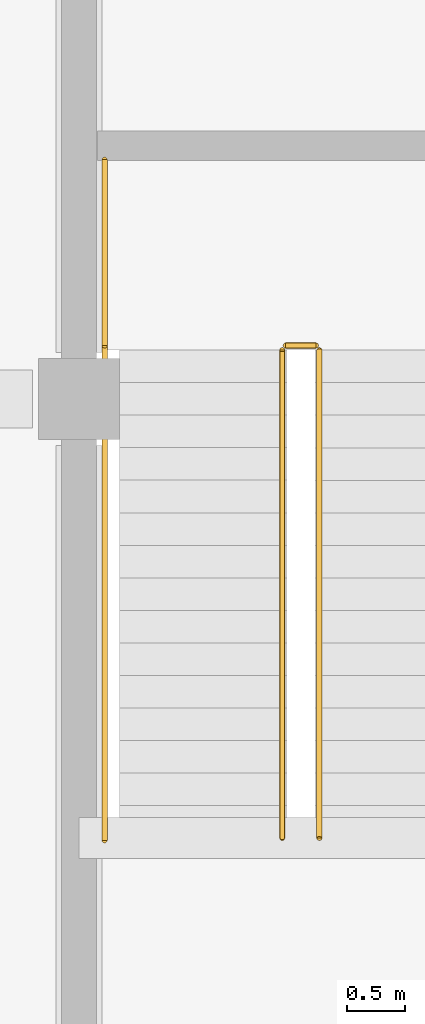
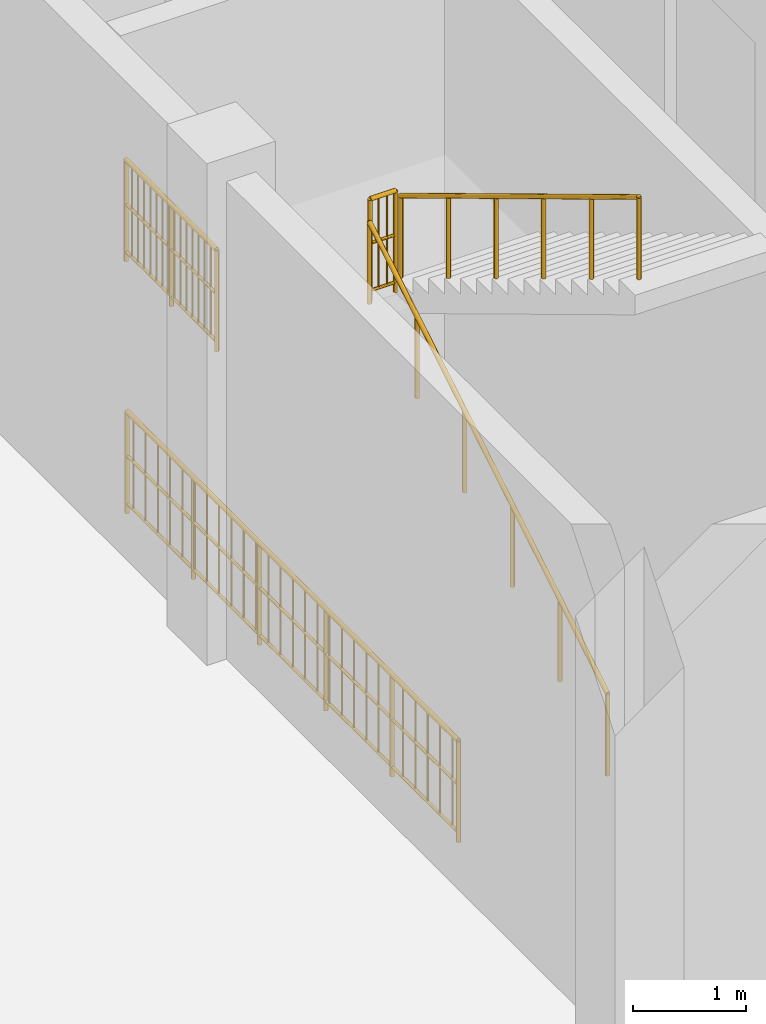
# One storey, part 65 of 70: 5 railings.
"""IFC4 building model written with IfcOpenShell, lengths in metres."""

from ifc_helpers import new_model, si_unit, direction, frame, origin, origin_2d, place, context, subcontext, project, spatial, circle, extrude, material, type_object, element, save


model = new_model("IFC4")

# Units and contexts
model_context = context("Model", 3, precision=1e-05, world=origin(), true_north=direction((0.0, 1.0)))
body_context = subcontext(model_context, "Body", "Model", "MODEL_VIEW")
ifc_project = project(units=[si_unit("LENGTHUNIT", "METRE"), si_unit("AREAUNIT", "SQUARE_METRE"), si_unit("VOLUMEUNIT", "CUBIC_METRE"), si_unit("PLANEANGLEUNIT", "RADIAN"), si_unit("MASSUNIT", "GRAM", prefix="KILO")], contexts=[model_context])

# Site, building, storey
site_placement = place(None, origin())
site = spatial("IfcSite", under=ifc_project, at=site_placement, CompositionType="ELEMENT")
building_placement = place(site_placement, origin())
building = spatial("IfcBuilding", under=site, at=building_placement, Name="Vesperath Aquatics Centre", CompositionType="ELEMENT")
storey_placement = place(building_placement, origin())
storey = spatial("IfcBuildingStorey", under=building, at=storey_placement, Name="L00", CompositionType="ELEMENT", Elevation=0.0)

# Railings
ifc_material_1 = material(Name="Powder-coated galvanized steel safety guard", Category="steel")
railing_type_1 = type_object("IfcRailingType", Name="RL-GRD01", PredefinedType="GUARDRAIL", material=ifc_material_1)
railing_1_placement = place(storey_placement, frame((95.3798828125, 65.260009765625, 2.699951171875)))
element("IfcRailing", 1, at=railing_1_placement, inside=storey, type_object=railing_type_1, Name="Stair ST8 Half-Landing Slot Guard GR02 L00", PredefinedType="GUARDRAIL", context=body_context, shape_type="SweptSolid", body=[
    extrude(circle(Radius=0.02392578125, at=origin_2d()), frame((0.0, 0.0, 1.0859375), z_axis=(1.0, 0.0, 0.0), x_axis=(0.0, 1.0, 0.0)), (0.0, 0.0, 1.0), 0.260009765625),
    extrude(circle(Radius=0.01611328125, at=origin_2d()), frame((0.0, 0.0, 0.10009765625), z_axis=(1.0, 0.0, 0.0), x_axis=(0.0, 1.0, 0.0)), (0.0, 0.0, 1.0), 0.260009765625),
    extrude(circle(Radius=0.01611328125, at=origin_2d()), frame((0.0, 0.0, 0.610595703125), z_axis=(1.0, 0.0, 0.0), x_axis=(0.0, 1.0, 0.0)), (0.0, 0.0, 1.0), 0.260009765625),
    extrude(circle(Radius=0.009033203125, at=origin_2d()), frame((0.086669921875, 0.0, 0.10009765625)), (0.0, 0.0, 1.0), 0.9619140625),
    extrude(circle(Radius=0.009033203125, at=origin_2d()), frame((0.17333984375, 0.0, 0.10009765625)), (0.0, 0.0, 1.0), 0.9619140625),
    extrude(circle(Radius=0.02197265625, at=origin_2d()), origin(), (0.0, 0.0, 1.0), 1.0859375),
    extrude(circle(Radius=0.02197265625, at=origin_2d()), frame((0.260009765625, 0.0, 0.0)), (0.0, 0.0, 1.0), 1.0859375),
])
railing_2_placement = place(storey_placement, frame((93.820068359375, 65.260009765625, 2.699951171875)))
element("IfcRailing", 2, at=railing_2_placement, inside=storey, type_object=railing_type_1, Name="Stair ST8 Half-Landing Wall Guard GR02 L00", PredefinedType="GUARDRAIL", context=body_context, shape_type="SweptSolid", body=[
    extrude(circle(Radius=0.02392578125, at=origin_2d()), frame((0.0, 0.0, 1.0859375), z_axis=(0.0, 1.0, 0.0), x_axis=(-1.0, 0.0, 0.0)), (0.0, 0.0, 1.0), 1.60009765625),
    extrude(circle(Radius=0.01611328125, at=origin_2d()), frame((0.0, 0.0, 0.10009765625), z_axis=(0.0, 1.0, 0.0), x_axis=(-1.0, 0.0, 0.0)), (0.0, 0.0, 1.0), 1.60009765625),
    extrude(circle(Radius=0.01611328125, at=origin_2d()), frame((0.0, 0.0, 0.610595703125), z_axis=(0.0, 1.0, 0.0), x_axis=(-1.0, 0.0, 0.0)), (0.0, 0.0, 1.0), 1.60009765625),
    extrude(circle(Radius=0.009033203125, at=origin_2d()), frame((0.0, 0.106689453125, 0.10009765625)), (0.0, 0.0, 1.0), 0.9619140625),
    extrude(circle(Radius=0.009033203125, at=origin_2d()), frame((0.0, 0.21337890625, 0.10009765625)), (0.0, 0.0, 1.0), 0.9619140625),
    extrude(circle(Radius=0.009033203125, at=origin_2d()), frame((0.0, 0.320068359375, 0.10009765625)), (0.0, 0.0, 1.0), 0.9619140625),
    extrude(circle(Radius=0.009033203125, at=origin_2d()), frame((0.0, 0.4267578125, 0.10009765625)), (0.0, 0.0, 1.0), 0.9619140625),
    extrude(circle(Radius=0.009033203125, at=origin_2d()), frame((0.0, 0.533447265625, 0.10009765625)), (0.0, 0.0, 1.0), 0.9619140625),
    extrude(circle(Radius=0.009033203125, at=origin_2d()), frame((0.0, 0.64013671875, 0.10009765625)), (0.0, 0.0, 1.0), 0.9619140625),
    extrude(circle(Radius=0.009033203125, at=origin_2d()), frame((0.0, 0.746826171875, 0.10009765625)), (0.0, 0.0, 1.0), 0.9619140625),
    extrude(circle(Radius=0.009033203125, at=origin_2d()), frame((0.0, 0.853271484375, 0.10009765625)), (0.0, 0.0, 1.0), 0.9619140625),
    extrude(circle(Radius=0.009033203125, at=origin_2d()), frame((0.0, 0.9599609375, 0.10009765625)), (0.0, 0.0, 1.0), 0.9619140625),
    extrude(circle(Radius=0.009033203125, at=origin_2d()), frame((0.0, 1.066650390625, 0.10009765625)), (0.0, 0.0, 1.0), 0.9619140625),
    extrude(circle(Radius=0.009033203125, at=origin_2d()), frame((0.0, 1.17333984375, 0.10009765625)), (0.0, 0.0, 1.0), 0.9619140625),
    extrude(circle(Radius=0.009033203125, at=origin_2d()), frame((0.0, 1.280029296875, 0.10009765625)), (0.0, 0.0, 1.0), 0.9619140625),
    extrude(circle(Radius=0.009033203125, at=origin_2d()), frame((0.0, 1.38671875, 0.10009765625)), (0.0, 0.0, 1.0), 0.9619140625),
    extrude(circle(Radius=0.009033203125, at=origin_2d()), frame((0.0, 1.493408203125, 0.10009765625)), (0.0, 0.0, 1.0), 0.9619140625),
    extrude(circle(Radius=0.02197265625, at=origin_2d()), origin(), (0.0, 0.0, 1.0), 1.0859375),
    extrude(circle(Radius=0.02197265625, at=origin_2d()), frame((0.0, 0.800048828125, 0.0)), (0.0, 0.0, 1.0), 1.0859375),
    extrude(circle(Radius=0.02197265625, at=origin_2d()), frame((0.0, 1.60009765625, 0.0)), (0.0, 0.0, 1.0), 1.0859375),
])
railing_3_placement = place(storey_placement, frame((93.820068359375, 61.0, 0.0)))
element("IfcRailing", 3, at=railing_3_placement, inside=storey, type_object=railing_type_1, Name="Stair ST8 Shaft Side Guard GR02 L00", PredefinedType="GUARDRAIL", context=body_context, shape_type="SweptSolid", body=[
    extrude(circle(Radius=0.02392578125, at=origin_2d()), frame((0.0, 0.0, 1.0859375), z_axis=(0.0, 1.0, 0.0), x_axis=(-1.0, 0.0, 0.0)), (0.0, 0.0, 1.0), 5.840087890625),
    extrude(circle(Radius=0.01611328125, at=origin_2d()), frame((0.0, 0.0, 0.10009765625), z_axis=(0.0, 1.0, 0.0), x_axis=(-1.0, 0.0, 0.0)), (0.0, 0.0, 1.0), 5.840087890625),
    extrude(circle(Radius=0.01611328125, at=origin_2d()), frame((0.0, 0.0, 0.610595703125), z_axis=(0.0, 1.0, 0.0), x_axis=(-1.0, 0.0, 0.0)), (0.0, 0.0, 1.0), 5.840087890625),
    extrude(circle(Radius=0.009033203125, at=origin_2d()), frame((0.0, 0.108154296875, 0.10009765625)), (0.0, 0.0, 1.0), 0.9619140625),
    extrude(circle(Radius=0.009033203125, at=origin_2d()), frame((0.0, 0.324462890625, 0.10009765625)), (0.0, 0.0, 1.0), 0.9619140625),
    extrude(circle(Radius=0.009033203125, at=origin_2d()), frame((0.0, 0.540771484375, 0.10009765625)), (0.0, 0.0, 1.0), 0.9619140625),
    extrude(circle(Radius=0.009033203125, at=origin_2d()), frame((0.0, 0.757080078125, 0.10009765625)), (0.0, 0.0, 1.0), 0.9619140625),
    extrude(circle(Radius=0.009033203125, at=origin_2d()), frame((0.0, 0.973388671875, 0.10009765625)), (0.0, 0.0, 1.0), 0.9619140625),
    extrude(circle(Radius=0.009033203125, at=origin_2d()), frame((0.0, 1.189697265625, 0.10009765625)), (0.0, 0.0, 1.0), 0.9619140625),
    extrude(circle(Radius=0.009033203125, at=origin_2d()), frame((0.0, 1.406005859375, 0.10009765625)), (0.0, 0.0, 1.0), 0.9619140625),
    extrude(circle(Radius=0.009033203125, at=origin_2d()), frame((0.0, 1.622314453125, 0.10009765625)), (0.0, 0.0, 1.0), 0.9619140625),
    extrude(circle(Radius=0.009033203125, at=origin_2d()), frame((0.0, 1.838623046875, 0.10009765625)), (0.0, 0.0, 1.0), 0.9619140625),
    extrude(circle(Radius=0.009033203125, at=origin_2d()), frame((0.0, 2.054931640625, 0.10009765625)), (0.0, 0.0, 1.0), 0.9619140625),
    extrude(circle(Radius=0.009033203125, at=origin_2d()), frame((0.0, 2.271240234375, 0.10009765625)), (0.0, 0.0, 1.0), 0.9619140625),
    extrude(circle(Radius=0.009033203125, at=origin_2d()), frame((0.0, 2.487548828125, 0.10009765625)), (0.0, 0.0, 1.0), 0.9619140625),
    extrude(circle(Radius=0.009033203125, at=origin_2d()), frame((0.0, 2.703857421875, 0.10009765625)), (0.0, 0.0, 1.0), 0.9619140625),
    extrude(circle(Radius=0.009033203125, at=origin_2d()), frame((0.0, 2.919921875, 0.10009765625)), (0.0, 0.0, 1.0), 0.9619140625),
    extrude(circle(Radius=0.009033203125, at=origin_2d()), frame((0.0, 3.13623046875, 0.10009765625)), (0.0, 0.0, 1.0), 0.9619140625),
    extrude(circle(Radius=0.009033203125, at=origin_2d()), frame((0.0, 3.3525390625, 0.10009765625)), (0.0, 0.0, 1.0), 0.9619140625),
    extrude(circle(Radius=0.009033203125, at=origin_2d()), frame((0.0, 3.56884765625, 0.10009765625)), (0.0, 0.0, 1.0), 0.9619140625),
    extrude(circle(Radius=0.009033203125, at=origin_2d()), frame((0.0, 3.78515625, 0.10009765625)), (0.0, 0.0, 1.0), 0.9619140625),
    extrude(circle(Radius=0.009033203125, at=origin_2d()), frame((0.0, 4.00146484375, 0.10009765625)), (0.0, 0.0, 1.0), 0.9619140625),
    extrude(circle(Radius=0.009033203125, at=origin_2d()), frame((0.0, 4.2177734375, 0.10009765625)), (0.0, 0.0, 1.0), 0.9619140625),
    extrude(circle(Radius=0.009033203125, at=origin_2d()), frame((0.0, 4.43408203125, 0.10009765625)), (0.0, 0.0, 1.0), 0.9619140625),
    extrude(circle(Radius=0.009033203125, at=origin_2d()), frame((0.0, 4.650390625, 0.10009765625)), (0.0, 0.0, 1.0), 0.9619140625),
    extrude(circle(Radius=0.009033203125, at=origin_2d()), frame((0.0, 4.86669921875, 0.10009765625)), (0.0, 0.0, 1.0), 0.9619140625),
    extrude(circle(Radius=0.009033203125, at=origin_2d()), frame((0.0, 5.0830078125, 0.10009765625)), (0.0, 0.0, 1.0), 0.9619140625),
    extrude(circle(Radius=0.009033203125, at=origin_2d()), frame((0.0, 5.29931640625, 0.10009765625)), (0.0, 0.0, 1.0), 0.9619140625),
    extrude(circle(Radius=0.009033203125, at=origin_2d()), frame((0.0, 5.515625, 0.10009765625)), (0.0, 0.0, 1.0), 0.9619140625),
    extrude(circle(Radius=0.009033203125, at=origin_2d()), frame((0.0, 5.73193359375, 0.10009765625)), (0.0, 0.0, 1.0), 0.9619140625),
    extrude(circle(Radius=0.02197265625, at=origin_2d()), origin(), (0.0, 0.0, 1.0), 1.0859375),
    extrude(circle(Radius=0.02197265625, at=origin_2d()), frame((0.0, 1.16796875, 0.0)), (0.0, 0.0, 1.0), 1.0859375),
    extrude(circle(Radius=0.02197265625, at=origin_2d()), frame((0.0, 2.3359375, 0.0)), (0.0, 0.0, 1.0), 1.0859375),
    extrude(circle(Radius=0.02197265625, at=origin_2d()), frame((0.0, 3.504150390625, 0.0)), (0.0, 0.0, 1.0), 1.0859375),
    extrude(circle(Radius=0.02197265625, at=origin_2d()), frame((0.0, 4.672119140625, 0.0)), (0.0, 0.0, 1.0), 1.0859375),
    extrude(circle(Radius=0.02197265625, at=origin_2d()), frame((0.0, 5.840087890625, 0.0)), (0.0, 0.0, 1.0), 1.0859375),
])
ifc_material_2 = material(Name="Brushed stainless steel tubular handrail", Category="steel")
railing_type_2 = type_object("IfcRailingType", Name="RL-HND01", PredefinedType="HANDRAIL", material=ifc_material_2)
railing_4_placement = place(storey_placement, frame((95.35009765625, 61.02001953125, 0.168701171875)))
element("IfcRailing", 4, at=railing_4_placement, inside=storey, type_object=railing_type_2, Name="Stair ST8 Flight 1 Handrail HR01 L00", PredefinedType="HANDRAIL", context=body_context, shape_type="SweptSolid", body=[
    extrude(circle(Radius=0.02392578125, at=origin_2d()), frame((0.0, 0.0, 0.8759765625), z_axis=(0.0, 0.856476492594, 0.516186030065), x_axis=(-1.0, 0.0, 0.0)), (0.0, 0.0, 1.0), 4.90380859375),
    extrude(circle(Radius=0.02197265625, at=origin_2d()), origin(), (0.0, 0.0, 1.0), 0.8759765625),
    extrude(circle(Radius=0.02197265625, at=origin_2d()), frame((0.0, 0.840087890625, 0.50634765625)), (0.0, 0.0, 1.0), 0.8759765625),
    extrude(circle(Radius=0.02197265625, at=origin_2d()), frame((0.0, 1.679931640625, 1.012451171875)), (0.0, 0.0, 1.0), 0.8759765625),
    extrude(circle(Radius=0.02197265625, at=origin_2d()), frame((0.0, 2.52001953125, 1.518798828125)), (0.0, 0.0, 1.0), 0.8759765625),
    extrude(circle(Radius=0.02197265625, at=origin_2d()), frame((0.0, 3.35986328125, 2.02490234375)), (0.0, 0.0, 1.0), 0.8759765625),
    extrude(circle(Radius=0.02197265625, at=origin_2d()), frame((0.0, 4.199951171875, 2.53125)), (0.0, 0.0, 1.0), 0.8759765625),
])
railing_5_placement = place(storey_placement, frame((95.669921875, 65.219970703125, 2.86865234375)))
element("IfcRailing", 5, at=railing_5_placement, inside=storey, type_object=railing_type_2, Name="Stair ST8 Flight 2 Handrail HR01 L00", PredefinedType="HANDRAIL", context=body_context, shape_type="SweptSolid", body=[
    extrude(circle(Radius=0.02392578125, at=origin_2d()), frame((0.0, 0.0, 0.8759765625), z_axis=(0.0, -0.856476492594, 0.516186030065), x_axis=(1.0, 0.0, 0.0)), (0.0, 0.0, 1.0), 4.90380859375),
    extrude(circle(Radius=0.02197265625, at=origin_2d()), origin(), (0.0, 0.0, 1.0), 0.8759765625),
    extrude(circle(Radius=0.02197265625, at=origin_2d()), frame((0.0, -0.840087890625, 0.50634765625)), (0.0, 0.0, 1.0), 0.8759765625),
    extrude(circle(Radius=0.02197265625, at=origin_2d()), frame((0.0, -1.679931640625, 1.012451171875)), (0.0, 0.0, 1.0), 0.8759765625),
    extrude(circle(Radius=0.02197265625, at=origin_2d()), frame((0.0, -2.52001953125, 1.518798828125)), (0.0, 0.0, 1.0), 0.8759765625),
    extrude(circle(Radius=0.02197265625, at=origin_2d()), frame((0.0, -3.35986328125, 2.02490234375)), (0.0, 0.0, 1.0), 0.8759765625),
    extrude(circle(Radius=0.02197265625, at=origin_2d()), frame((0.0, -4.199951171875, 2.53125)), (0.0, 0.0, 1.0), 0.8759765625),
])

save(model, "model.ifc")
